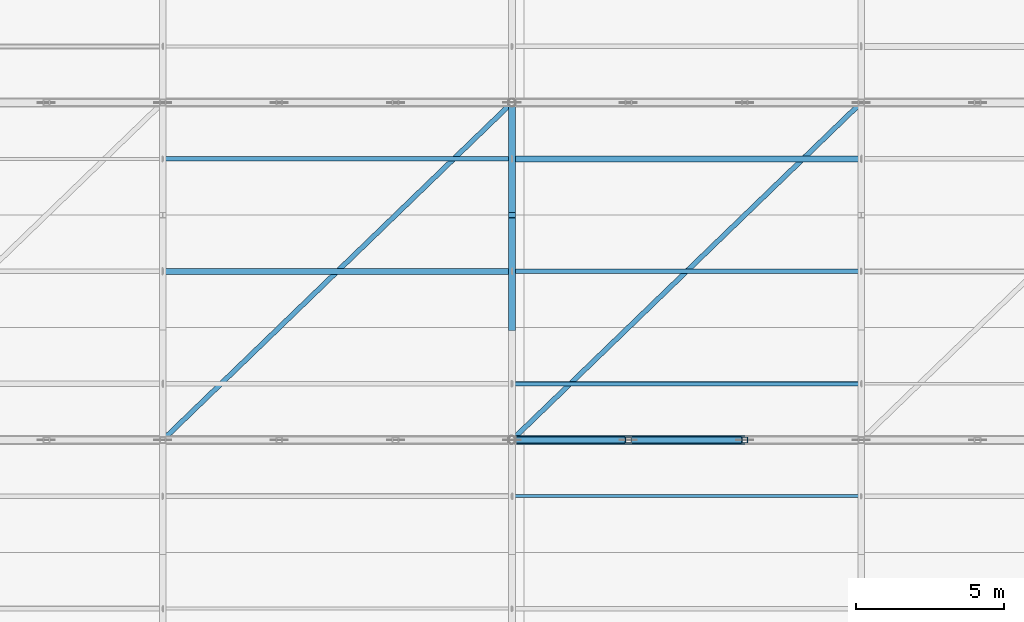
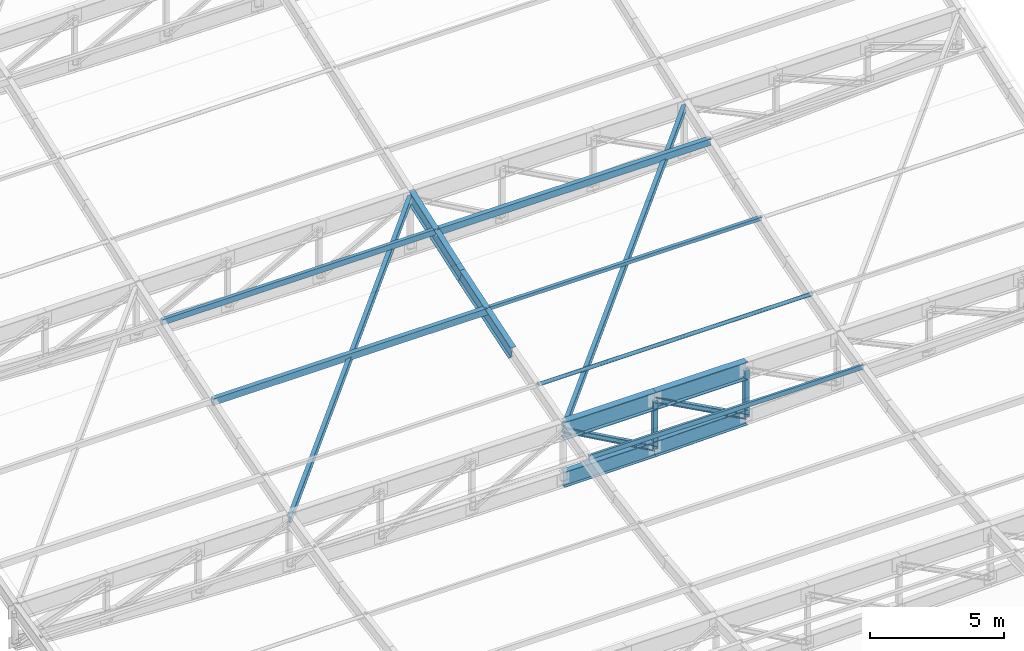
# One storey, part 20 of 65: 14 members, 4 beams.
"""IFC4 building model written with IfcOpenShell, lengths in metres."""

import ifcopenshell
import ifcopenshell.guid

model = None  # the IFC model being written
_history = None  # IfcOwnerHistory: only IFC2X3 demands one
_inside = {}  # id of a spatial element -> (the spatial element, [elements in it])
_under = {}  # id of a project, library or spatial element -> (it, [spatial elements below it])
_declared = {}  # id of a project -> (the project, [libraries it declares])
_typed = {}  # id of a type object -> (the type object, [elements of that type])
_made_of = {}  # id of a material, layer set ... -> (it, [elements and type objects made of it])


def new_model(schema):
    """Start an empty IFC model of exactly this schema.

    Asked for "IFC4X3", IfcOpenShell would pick the latest addendum, in which some entities
    have other attributes; the version numbers below select the first issue.
    IFC2X3 requires an IfcOwnerHistory on every rooted entity: one is made here for all.
    """
    global model, _history
    if schema == "IFC4X3":
        model = ifcopenshell.file(schema_version=(4, 3, 0, 0))
    else:
        model = ifcopenshell.file(schema=schema)
    _inside.clear()
    _under.clear()
    _declared.clear()
    _typed.clear()
    _made_of.clear()
    _history = None
    if model.schema == "IFC2X3":
        org = make("IfcOrganization", Name="unknown")
        user = make(
            "IfcPersonAndOrganization",
            ThePerson=make("IfcPerson", FamilyName="unknown"),
            TheOrganization=org,
        )
        app = make(
            "IfcApplication",
            ApplicationDeveloper=org,
            Version="unknown",
            ApplicationFullName="unknown",
            ApplicationIdentifier="unknown",
        )
        _history = make(
            "IfcOwnerHistory",
            OwningUser=user,
            OwningApplication=app,
            ChangeAction="ADDED",
            CreationDate=0,
        )
    return model


def make(cls, **values):
    """One entity of the class cls with the attributes given. An attribute that is None is left unset."""
    return model.create_entity(
        cls, **{name: value for name, value in values.items() if value is not None}
    )


def rooted(cls, **values):
    """An entity with a GlobalId (a new one), such as an element, a storey or a relation."""
    return make(cls, GlobalId=ifcopenshell.guid.new(), OwnerHistory=_history, **values)


def si_unit(unit_type, name, prefix=None):
    """IfcSIUnit, for example si_unit("LENGTHUNIT", "METRE", prefix="MILLI")."""
    return make("IfcSIUnit", UnitType=unit_type, Prefix=prefix, Name=name)


def assignment(units):
    """IfcUnitAssignment: the units of a project."""
    return None if units is None else make("IfcUnitAssignment", Units=units)


def point(xyz):
    """IfcCartesianPoint."""
    return None if xyz is None else make("IfcCartesianPoint", Coordinates=xyz)


def direction(xyz):
    """IfcDirection."""
    return None if xyz is None else make("IfcDirection", DirectionRatios=xyz)


def frame(location, z_axis=None, x_axis=None):
    """IfcAxis2Placement3D, a coordinate frame: its origin and axes. An axis left out is left unset."""
    return make(
        "IfcAxis2Placement3D",
        Location=point(location),
        Axis=direction(z_axis),
        RefDirection=direction(x_axis),
    )


def frame_2d(location, x_axis=None):
    """IfcAxis2Placement2D, a coordinate frame in the plane: its origin and x axis."""
    return make(
        "IfcAxis2Placement2D", Location=point(location), RefDirection=direction(x_axis)
    )


def origin():
    """The frame at (0, 0, 0) with its axes left unset."""
    return frame((0.0, 0.0, 0.0))


def origin_2d():
    """The frame at (0, 0) in the plane with its x axis left unset."""
    return frame_2d((0.0, 0.0))


def place(relative_to, where):
    """IfcLocalPlacement: puts the frame where relative to a parent placement (None: the world)."""
    return make(
        "IfcLocalPlacement", PlacementRelTo=relative_to, RelativePlacement=where
    )


def context(
    kind, dimensions, precision=None, world=None, true_north=None, identifier=None
):
    """IfcGeometricRepresentationContext, for example the 3D "Model" context."""
    return make(
        "IfcGeometricRepresentationContext",
        ContextIdentifier=identifier,
        ContextType=kind,
        CoordinateSpaceDimension=dimensions,
        Precision=precision,
        WorldCoordinateSystem=world,
        TrueNorth=true_north,
    )


def subcontext(parent, identifier, kind, view, scale=None):
    """IfcGeometricRepresentationSubContext, for example "Body" below "Model"."""
    return make(
        "IfcGeometricRepresentationSubContext",
        ContextIdentifier=identifier,
        ContextType=kind,
        ParentContext=parent,
        TargetScale=scale,
        TargetView=view,
    )


def project(units=None, contexts=None):
    """IfcProject with its units and contexts."""
    return rooted(
        "IfcProject",
        Name="project",
        RepresentationContexts=contexts,
        UnitsInContext=assignment(units),
    )


def spatial(cls, under=None, at=None, **own):
    """A site, building, storey or space (cls), placed at a placement, below another one or the project."""
    s = rooted(cls, ObjectPlacement=at, **own)
    if under is not None:
        _under.setdefault(under.id(), (under, []))[1].append(s)
    return s


def profile(cls, at=None, kind="AREA", **sizes):
    """A parametric profile (cls). Its sizes go by their IFC names, for example OverallWidth=200.0."""
    return make(cls, ProfileType=kind, Position=at, **sizes)


def hollow_rectangle(**sizes):
    """IfcRectangleHollowProfileDef."""
    return profile("IfcRectangleHollowProfileDef", **sizes)


def hollow_circle(**sizes):
    """IfcCircleHollowProfileDef."""
    return profile("IfcCircleHollowProfileDef", **sizes)


def i_section(**sizes):
    """IfcIShapeProfileDef."""
    return profile("IfcIShapeProfileDef", **sizes)


def extrude(swept, where, along, depth):
    """IfcExtrudedAreaSolid: the profile swept, set in the frame where, extruded along a direction by depth."""
    return make(
        "IfcExtrudedAreaSolid",
        SweptArea=swept,
        Position=where,
        ExtrudedDirection=direction(along),
        Depth=depth,
    )


def shape(context_of_items, identifier, shape_type, items):
    """IfcShapeRepresentation: the items that make up one representation, for example the "Body"."""
    return make(
        "IfcShapeRepresentation",
        ContextOfItems=context_of_items,
        RepresentationIdentifier=identifier,
        RepresentationType=shape_type,
        Items=items,
    )


def material(Name=None, Category=None):
    """IfcMaterial."""
    return make("IfcMaterial", Name=Name, Category=Category)


def material_profile(
    of_material, cross_section, Name=None, Category=None, Priority=None
):
    """IfcMaterialProfile: a cross section and its material."""
    return make(
        "IfcMaterialProfile",
        Name=Name,
        Material=of_material,
        Profile=cross_section,
        Priority=Priority,
        Category=Category,
    )


def profile_set(profiles, Name=None, composite=None):
    """IfcMaterialProfileSet."""
    return make(
        "IfcMaterialProfileSet",
        Name=Name,
        MaterialProfiles=profiles,
        CompositeProfile=composite,
    )


def made_of(thing, what):
    """Note that an element or type object is made of a material, layer set ...; save() writes the relation."""
    if what is not None:
        _made_of.setdefault(what.id(), (what, []))[1].append(thing)
    return thing


def type_object(cls, material=None, **own):
    """A type object (cls), such as IfcWallType, which elements share."""
    return made_of(rooted(cls, **own), material)


def element(
    cls,
    number,
    at=None,
    inside=None,
    cuts=None,
    type_object=None,
    material=None,
    context=None,
    identifier="Body",
    shape_type=None,
    held_by="IfcProductDefinitionShape",
    body=None,
    shapes=None,
    **own,
):
    """One element of the class cls, such as IfcWall. Its Tag is "e" and its number.

    at: its placement. inside: the storey or other place that contains it. cuts: it is an
    opening in that element (IfcRelVoidsElement). A single representation is given by context,
    identifier, shape_type and body (its items); several are given by shapes. held_by: the class
    of the entity that holds the representations. save() writes the other relations.
    """
    e = rooted(cls, Tag="e%d" % number, ObjectPlacement=at, **own)
    if body is not None:
        shapes = [shape(context, identifier, shape_type, body)]
    if shapes is not None:
        e.Representation = make(held_by, Representations=shapes)
    if inside is not None:
        _inside.setdefault(inside.id(), (inside, []))[1].append(e)
    if cuts is not None:
        rooted(
            "IfcRelVoidsElement", RelatingBuildingElement=cuts, RelatedOpeningElement=e
        )
    if type_object is not None:
        _typed.setdefault(type_object.id(), (type_object, []))[1].append(e)
    return made_of(e, material)


def aggregate(whole, parts):
    """IfcRelAggregates: a whole, such as a stair, and the parts it consists of."""
    return rooted("IfcRelAggregates", RelatingObject=whole, RelatedObjects=parts)


def save(model, path):
    """Write the relations noted so far, then the file.

    IfcRelAggregates (storeys below a building ...), IfcRelContainedInSpatialStructure (elements
    in a storey), IfcRelDefinesByType, IfcRelAssociatesMaterial and IfcRelDeclares: one each for
    every whole, place, type object, material and project.
    """
    for whole, parts in _under.values():
        aggregate(whole, parts)
    for where, things in _inside.values():
        rooted(
            "IfcRelContainedInSpatialStructure",
            RelatedElements=things,
            RelatingStructure=where,
        )
    for kind, things in _typed.values():
        rooted("IfcRelDefinesByType", RelatedObjects=things, RelatingType=kind)
    for what, things in _made_of.values():
        rooted("IfcRelAssociatesMaterial", RelatedObjects=things, RelatingMaterial=what)
    for by, libraries in _declared.values():
        rooted("IfcRelDeclares", RelatingContext=by, RelatedDefinitions=libraries)
    model.write(path)


model = new_model("IFC4")

# Units and contexts
model_context = context("Model", 3, precision=1e-05, world=origin(), true_north=direction((0.0, 1.0)))
body_context = subcontext(model_context, "Body", "Model", "MODEL_VIEW")
ifc_project = project(units=[si_unit("LENGTHUNIT", "METRE"), si_unit("AREAUNIT", "SQUARE_METRE"), si_unit("VOLUMEUNIT", "CUBIC_METRE"), si_unit("PLANEANGLEUNIT", "RADIAN"), si_unit("MASSUNIT", "GRAM", prefix="KILO"), si_unit("POWERUNIT", "WATT"), si_unit("THERMODYNAMICTEMPERATUREUNIT", "KELVIN")], contexts=[model_context])

# Site, building, storey
site_placement = place(None, origin())
site = spatial("IfcSite", under=ifc_project, at=site_placement, CompositionType="ELEMENT")
building_placement = place(site_placement, origin())
building = spatial("IfcBuilding", under=site, at=building_placement, Name="Kelmbourne Parkland Aquatics Centre", CompositionType="ELEMENT")
storey_placement = place(building_placement, frame((0.0, 0.0, 27.0)))
storey = spatial("IfcBuildingStorey", under=building, at=storey_placement, Name="RF", CompositionType="ELEMENT", Elevation=27.0)

# Members
ifc_material_1 = material(Name="Structural steel AS/NZS 3679.1 Grade 300", Category="steel")
ifc_material_profile_1 = material_profile(ifc_material_1, i_section(OverallWidth=0.166015625, OverallDepth=0.306884765625, WebThickness=0.006591796875, FlangeThickness=0.01171875, at=origin_2d()), Name="310UB46.2")
ifc_profile_set_1 = profile_set([ifc_material_profile_1], Name="Structural steel AS/NZS 3679.1 Grade 300")
member_type_1 = type_object("IfcMemberType", Name="MB-BR-I", PredefinedType="BRACE", material=ifc_profile_set_1)
for number, where, z_axis, x_axis, name in (
    (1, (139.806884765625, 69.206787109375, -10.938232421875), (0.702167961361, 0.678358015368, 0.216311250339), (-0.694807972231, 0.719195301517, 0.0), "Roof wind diagonal brace B7-36"),
    (2, (151.60693359375, 69.206787109375, -10.938232421875), (0.702167961361, 0.678358015368, 0.216311250339), (-0.694807972231, 0.719195301517, 0.0), "Roof wind diagonal brace B7-69"),
):
    element("IfcMember", number, at=place(storey_placement, frame(where, z_axis=z_axis, x_axis=x_axis)), inside=storey, type_object=member_type_1, Name=name, PredefinedType="BRACE", context=body_context, shape_type="SweptSolid", body=[
        extrude(i_section(OverallWidth=0.166015625, OverallDepth=0.306884765625, WebThickness=0.006591796875, FlangeThickness=0.01171875, at=origin_2d()), origin(), (0.0, 0.0, 1.0), 16.785400390625),
    ])
ifc_material_profile_2 = material_profile(ifc_material_1, i_section(OverallWidth=0.205078125, OverallDepth=0.2099609375, WebThickness=0.00927734375, FlangeThickness=0.01416015625, at=origin_2d()), Name="200UC59.5")
ifc_profile_set_2 = profile_set([ifc_material_profile_2], Name="Structural steel AS/NZS 3679.1 Grade 300")
member_type_2 = type_object("IfcMemberType", Name="MB-DIAG3", PredefinedType="STRUT", material=ifc_profile_set_2)
member_1_placement = place(storey_placement, frame((151.60009765625, 69.199951171875, -10.9404296875), z_axis=(0.87212726535, 0.0, -0.489279095235), x_axis=(0.0, 1.0, 0.0)))
element("IfcMember", 3, at=member_1_placement, inside=storey, type_object=member_type_2, Name="Roof truss R06 web diagonal 7", PredefinedType="STRUT", context=body_context, shape_type="SweptSolid", body=[
    extrude(i_section(OverallWidth=0.205078125, OverallDepth=0.2099609375, WebThickness=0.00927734375, FlangeThickness=0.01416015625, at=origin_2d()), origin(), (0.0, 0.0, 1.0), 4.509765625),
])
member_2_placement = place(storey_placement, frame((155.533203125, 69.199951171875, -10.9404296875), z_axis=(0.878819450955, 0.0, -0.477154453634), x_axis=(0.0, 1.0, 0.0)))
element("IfcMember", 4, at=member_2_placement, inside=storey, type_object=member_type_2, Name="Roof truss R06 web diagonal 8", PredefinedType="STRUT", context=body_context, shape_type="SweptSolid", body=[
    extrude(i_section(OverallWidth=0.205078125, OverallDepth=0.2099609375, WebThickness=0.00927734375, FlangeThickness=0.01416015625, at=origin_2d()), origin(), (0.0, 0.0, 1.0), 4.47607421875),
])
ifc_material_profile_3 = material_profile(ifc_material_1, i_section(OverallWidth=0.22900390625, OverallDepth=0.612060546875, WebThickness=0.011962890625, FlangeThickness=0.01953125, at=origin_2d()), Name="610UB125")
ifc_profile_set_3 = profile_set([ifc_material_profile_3], Name="Structural steel AS/NZS 3679.1 Grade 300")
member_type_3 = type_object("IfcMemberType", Name="MB-LRIB", PredefinedType="STRUT", material=ifc_profile_set_3)
member_3_placement = place(storey_placement, frame((151.60009765625, 73.0, -9.744384765625), z_axis=(0.0, 0.951600805512, 0.307336797257), x_axis=(-1.0, 0.0, 0.0)))
element("IfcMember", 5, at=member_3_placement, inside=storey, type_object=member_type_3, Name="Longitudinal wave rib K6 strip 20", PredefinedType="STRUT", context=body_context, shape_type="SweptSolid", body=[
    extrude(i_section(OverallWidth=0.22900390625, OverallDepth=0.612060546875, WebThickness=0.011962890625, FlangeThickness=0.01953125, at=origin_2d()), origin(), (0.0, 0.0, 1.0), 3.993408203125),
])
member_4_placement = place(storey_placement, frame((151.60009765625, 76.800048828125, -8.51708984375), z_axis=(0.0, 0.943702288196, 0.330795996428), x_axis=(-1.0, 0.0, 0.0)))
element("IfcMember", 6, at=member_4_placement, inside=storey, type_object=member_type_3, Name="Longitudinal wave rib K6 strip 21", PredefinedType="STRUT", context=body_context, shape_type="SweptSolid", body=[
    extrude(i_section(OverallWidth=0.22900390625, OverallDepth=0.612060546875, WebThickness=0.011962890625, FlangeThickness=0.01953125, at=origin_2d()), origin(), (0.0, 0.0, 1.0), 4.02685546875),
])
ifc_material_2 = material(Name="Cold-formed hollow steel AS/NZS 1163 C350L0", Category="steel")
ifc_material_profile_4 = material_profile(ifc_material_2, hollow_rectangle(XDim=0.199951171875, YDim=0.199951171875, WallThickness=0.010009765625, at=origin_2d()), Name="SHS 200x200x10.0")
ifc_profile_set_4 = profile_set([ifc_material_profile_4], Name="Cold-formed hollow steel AS/NZS 1163 C350L0")
member_type_4 = type_object("IfcMemberType", Name="MB-POST1", PredefinedType="STRUT", material=ifc_profile_set_4)
member_5_placement = place(storey_placement, frame((155.533203125, 69.199951171875, -13.14697265625), z_axis=(0.0, 0.0, 1.0), x_axis=(1.0, 0.0, 0.0)))
element("IfcMember", 7, at=member_5_placement, inside=storey, type_object=member_type_4, Name="Roof truss R06 vertical post 7", PredefinedType="STRUT", context=body_context, shape_type="SweptSolid", body=[
    extrude(hollow_rectangle(XDim=0.199951171875, YDim=0.199951171875, WallThickness=0.010009765625, at=origin_2d()), origin(), (0.0, 0.0, 1.0), 2.20654296875),
])
member_6_placement = place(storey_placement, frame((159.466796875, 69.199951171875, -13.076171875), z_axis=(0.0, 0.0, 1.0), x_axis=(1.0, 0.0, 0.0)))
element("IfcMember", 8, at=member_6_placement, inside=storey, type_object=member_type_4, Name="Roof truss R06 vertical post 8", PredefinedType="STRUT", context=body_context, shape_type="SweptSolid", body=[
    extrude(hollow_rectangle(XDim=0.199951171875, YDim=0.199951171875, WallThickness=0.010009765625, at=origin_2d()), origin(), (0.0, 0.0, 1.0), 2.1357421875),
])
ifc_material_profile_5 = material_profile(ifc_material_2, hollow_rectangle(XDim=0.10009765625, YDim=0.199951171875, WallThickness=0.006103515625, at=origin_2d()), Name="RHS 200x100x6.0")
ifc_profile_set_5 = profile_set([ifc_material_profile_5], Name="Cold-formed hollow steel AS/NZS 1163 C350L0")
member_type_5 = type_object("IfcMemberType", Name="MB-PUR1", PredefinedType="PURLIN", material=ifc_profile_set_5)
member_7_placement = place(storey_placement, frame((151.60009765625, 67.300048828125, -11.052001953125), z_axis=(1.0, 0.0, 0.0), x_axis=(0.0, 1.0, 0.0)))
element("IfcMember", 9, at=member_7_placement, inside=storey, type_object=member_type_5, Name="Wave roof purlin S18-G3", PredefinedType="PURLIN", context=body_context, shape_type="SweptSolid", body=[
    extrude(hollow_rectangle(XDim=0.10009765625, YDim=0.199951171875, WallThickness=0.006103515625, at=origin_2d()), origin(), (0.0, 0.0, 1.0), 11.7998046875),
])
ifc_material_profile_6 = material_profile(ifc_material_2, hollow_rectangle(XDim=0.14990234375, YDim=0.25, WallThickness=0.009033203125, at=origin_2d()), Name="RHS 250x150x9.0")
ifc_profile_set_6 = profile_set([ifc_material_profile_6], Name="Cold-formed hollow steel AS/NZS 1163 C350L0")
member_type_6 = type_object("IfcMemberType", Name="MB-PUR2", PredefinedType="PURLIN", material=ifc_profile_set_6)
member_8_placement = place(storey_placement, frame((139.800048828125, 78.699951171875, -7.666015625), z_axis=(1.0, 0.0, 0.0), x_axis=(0.0, 1.0, 0.0)))
element("IfcMember", 10, at=member_8_placement, inside=storey, type_object=member_type_6, Name="Wave roof purlin S21-G2", PredefinedType="PURLIN", context=body_context, shape_type="SweptSolid", body=[
    extrude(hollow_rectangle(XDim=0.14990234375, YDim=0.25, WallThickness=0.009033203125, at=origin_2d()), origin(), (0.0, 0.0, 1.0), 11.800048828125),
])
ifc_material_profile_7 = material_profile(ifc_material_2, hollow_rectangle(XDim=0.199951171875, YDim=0.300048828125, WallThickness=0.010009765625, at=origin_2d()), Name="RHS 300x200x10.0")
ifc_profile_set_7 = profile_set([ifc_material_profile_7], Name="Cold-formed hollow steel AS/NZS 1163 C350L0")
member_type_7 = type_object("IfcMemberType", Name="MB-PUR3", PredefinedType="PURLIN", material=ifc_profile_set_7)
member_9_placement = place(storey_placement, frame((139.800048828125, 74.89990234375, -8.970703125), z_axis=(1.0, 0.0, 0.0), x_axis=(0.0, 1.0, 0.0)))
element("IfcMember", 11, at=member_9_placement, inside=storey, type_object=member_type_7, Name="Wave roof purlin S20-G2", PredefinedType="PURLIN", context=body_context, shape_type="SweptSolid", body=[
    extrude(hollow_rectangle(XDim=0.199951171875, YDim=0.300048828125, WallThickness=0.010009765625, at=origin_2d()), origin(), (0.0, 0.0, 1.0), 11.800048828125),
])
member_10_placement = place(storey_placement, frame((151.60009765625, 78.699951171875, -7.691162109375), z_axis=(1.0, 0.0, 0.0), x_axis=(0.0, 1.0, 0.0)))
element("IfcMember", 12, at=member_10_placement, inside=storey, type_object=member_type_7, Name="Wave roof purlin S21-G3", PredefinedType="PURLIN", context=body_context, shape_type="SweptSolid", body=[
    extrude(hollow_rectangle(XDim=0.199951171875, YDim=0.300048828125, WallThickness=0.010009765625, at=origin_2d()), origin(), (0.0, 0.0, 1.0), 11.7998046875),
])
ifc_material_profile_8 = material_profile(ifc_material_2, hollow_rectangle(XDim=0.14990234375, YDim=0.14990234375, WallThickness=0.009033203125, at=origin_2d()), Name="SHS 150x150x9.0")
ifc_profile_set_8 = profile_set([ifc_material_profile_8], Name="Cold-formed hollow steel AS/NZS 1163 C350L0")
member_type_8 = type_object("IfcMemberType", Name="MB-PUR4", PredefinedType="PURLIN", material=ifc_profile_set_8)
member_11_placement = place(storey_placement, frame((151.60009765625, 74.89990234375, -8.895751953125), z_axis=(1.0, 0.0, 0.0), x_axis=(0.0, 1.0, 0.0)))
element("IfcMember", 13, at=member_11_placement, inside=storey, type_object=member_type_8, Name="Wave roof purlin S20-G3", PredefinedType="PURLIN", context=body_context, shape_type="SweptSolid", body=[
    extrude(hollow_rectangle(XDim=0.14990234375, YDim=0.14990234375, WallThickness=0.009033203125, at=origin_2d()), origin(), (0.0, 0.0, 1.0), 11.7998046875),
])
ifc_material_profile_9 = material_profile(ifc_material_2, hollow_circle(Radius=0.084228515625, WallThickness=0.007080078125, at=origin_2d()), Name="CHS 168.3x7.1")
ifc_profile_set_9 = profile_set([ifc_material_profile_9], Name="Cold-formed hollow steel AS/NZS 1163 C350L0")
member_type_9 = type_object("IfcMemberType", Name="MB-PUR5", PredefinedType="PURLIN", material=ifc_profile_set_9)
member_12_placement = place(storey_placement, frame((151.60009765625, 71.10009765625, -10.056640625), z_axis=(1.0, 0.0, 0.0), x_axis=(0.0, 1.0, 0.0)))
element("IfcMember", 14, at=member_12_placement, inside=storey, type_object=member_type_9, Name="Wave roof purlin S19-G3", PredefinedType="PURLIN", context=body_context, shape_type="SweptSolid", body=[
    extrude(hollow_circle(Radius=0.084228515625, WallThickness=0.007080078125, at=origin_2d()), origin(), (0.0, 0.0, 1.0), 11.7998046875),
])

# Beams
ifc_material_3 = material(Name="Welded plate steel AS/NZS 3678 Grade 350", Category="steel")
ifc_material_profile_10 = material_profile(ifc_material_3, i_section(OverallWidth=0.25, OverallDepth=0.699951171875, WebThickness=0.010009765625, FlangeThickness=0.02001953125, at=origin_2d()), Name="700WB130")
ifc_profile_set_10 = profile_set([ifc_material_profile_10], Name="Welded plate steel AS/NZS 3678 Grade 350")
beam_type_1 = type_object("IfcBeamType", Name="TR-BC2", PredefinedType="BEAM", material=ifc_profile_set_10)
beam_1_placement = place(storey_placement, frame((151.60009765625, 69.199951171875, -13.17041015625), z_axis=(0.999982245444, 0.0, 0.005958925857), x_axis=(0.0, 1.0, 0.0)))
element("IfcBeam", 15, at=beam_1_placement, inside=storey, type_object=beam_type_1, Name="Roof truss R06 bottom chord 7", PredefinedType="BEAM", context=body_context, shape_type="SweptSolid", body=[
    extrude(i_section(OverallWidth=0.25, OverallDepth=0.699951171875, WebThickness=0.010009765625, FlangeThickness=0.02001953125, at=origin_2d()), origin(), (0.0, 0.0, 1.0), 3.93310546875),
])
beam_2_placement = place(storey_placement, frame((155.533203125, 69.199951171875, -13.14697265625), z_axis=(0.999838057221, 0.0, 0.017996092142), x_axis=(0.0, 1.0, 0.0)))
element("IfcBeam", 16, at=beam_2_placement, inside=storey, type_object=beam_type_1, Name="Roof truss R06 bottom chord 8", PredefinedType="BEAM", context=body_context, shape_type="SweptSolid", body=[
    extrude(i_section(OverallWidth=0.25, OverallDepth=0.699951171875, WebThickness=0.010009765625, FlangeThickness=0.02001953125, at=origin_2d()), origin(), (0.0, 0.0, 1.0), 3.934326171875),
])
ifc_material_profile_11 = material_profile(ifc_material_3, i_section(OverallWidth=0.300048828125, OverallDepth=0.81591796875, WebThickness=0.011962890625, FlangeThickness=0.028076171875, at=origin_2d()), Name="800WB192")
ifc_profile_set_11 = profile_set([ifc_material_profile_11], Name="Welded plate steel AS/NZS 3678 Grade 350")
beam_type_2 = type_object("IfcBeamType", Name="TR-TC2", PredefinedType="BEAM", material=ifc_profile_set_11)
beam_3_placement = place(storey_placement, frame((151.60009765625, 69.199951171875, -10.9404296875), z_axis=(1.0, 0.0, 0.0), x_axis=(0.0, 1.0, 0.0)))
element("IfcBeam", 17, at=beam_3_placement, inside=storey, type_object=beam_type_2, Name="Roof truss R06 top chord 7", PredefinedType="BEAM", context=body_context, shape_type="SweptSolid", body=[
    extrude(i_section(OverallWidth=0.300048828125, OverallDepth=0.81591796875, WebThickness=0.011962890625, FlangeThickness=0.028076171875, at=origin_2d()), origin(), (0.0, 0.0, 1.0), 3.93310546875),
])
beam_4_placement = place(storey_placement, frame((155.533203125, 69.199951171875, -10.9404296875), z_axis=(1.0, 0.0, 0.0), x_axis=(0.0, 1.0, 0.0)))
element("IfcBeam", 18, at=beam_4_placement, inside=storey, type_object=beam_type_2, Name="Roof truss R06 top chord 8", PredefinedType="BEAM", context=body_context, shape_type="SweptSolid", body=[
    extrude(i_section(OverallWidth=0.300048828125, OverallDepth=0.81591796875, WebThickness=0.011962890625, FlangeThickness=0.028076171875, at=origin_2d()), origin(), (0.0, 0.0, 1.0), 3.93359375),
])

save(model, "model.ifc")
